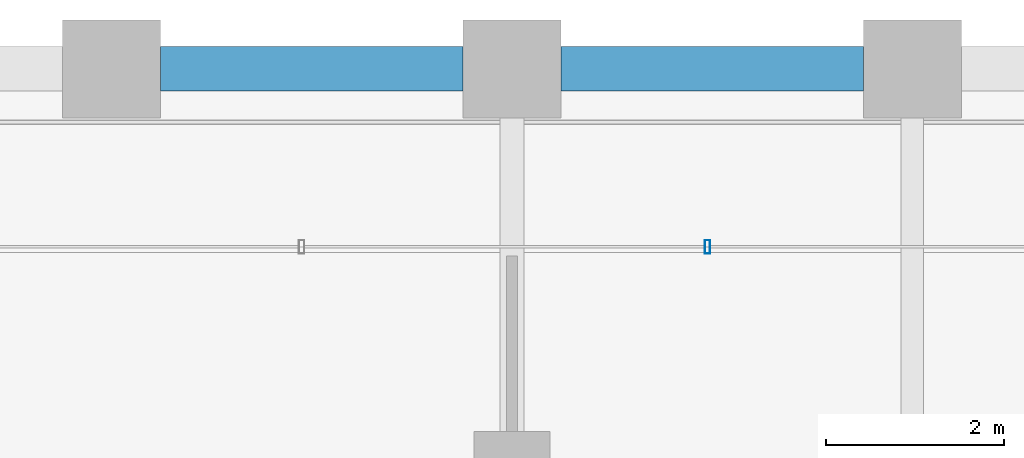
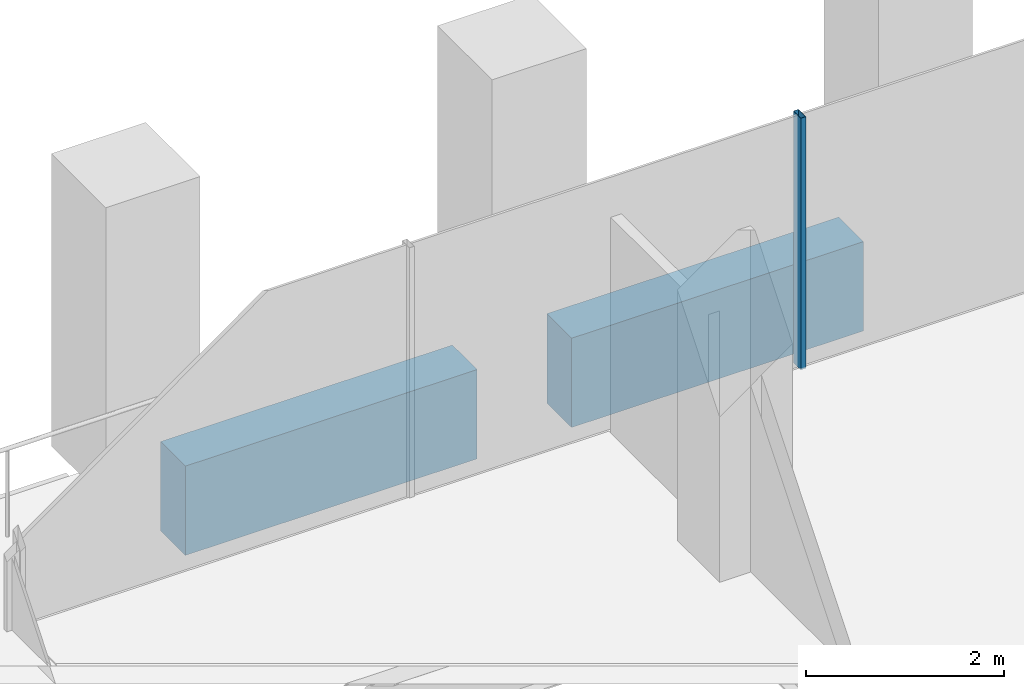
# One storey, part 27 of 56: 2 beams, 1 member, 1 element without a shape of its own.
"""IFC4 building model written with IfcOpenShell, lengths in metres."""

from ifc_helpers import new_model, si_unit, direction, frame, origin, origin_2d, place, context, subcontext, project, spatial, rectangle, hollow_rectangle, extrude, material, material_profile, profile_set, type_object, element, aggregate, save


model = new_model("IFC4")

# Units and contexts
model_context = context("Model", 3, precision=1e-05, world=origin(), true_north=direction((0.0, 1.0)))
body_context = subcontext(model_context, "Body", "Model", "MODEL_VIEW")
ifc_project = project(units=[si_unit("LENGTHUNIT", "METRE"), si_unit("AREAUNIT", "SQUARE_METRE"), si_unit("VOLUMEUNIT", "CUBIC_METRE"), si_unit("PLANEANGLEUNIT", "RADIAN"), si_unit("MASSUNIT", "GRAM", prefix="KILO")], contexts=[model_context])

# Site, building, storey
site_placement = place(None, origin())
site = spatial("IfcSite", under=ifc_project, at=site_placement, CompositionType="ELEMENT")
building_placement = place(site_placement, origin())
building = spatial("IfcBuilding", under=site, at=building_placement, Name="Altepetl Exchange Towers", CompositionType="ELEMENT")
storey_placement = place(building_placement, frame((0.0, 0.0, 79.800048828125)))
storey = spatial("IfcBuildingStorey", under=building, at=storey_placement, Name="L19", CompositionType="ELEMENT", Elevation=79.800048828125)

# Curtain wall, member
ifc_material_1 = material(Name="Aluminium 6063-T6 glazing", Category="aluminium")
curtain_wall_type = type_object("IfcCurtainWallType", Name="Loggia glazing system", PredefinedType="NOTDEFINED", material=ifc_material_1)
curtain_wall_placement = place(storey_placement, origin())
curtain_wall = element("IfcCurtainWall", 1, at=curtain_wall_placement, inside=storey, type_object=curtain_wall_type, Name="CW1 run", PredefinedType="NOTDEFINED")
ifc_material_2 = material(Name="Aluminium 6063-T6", Category="aluminium")
ifc_material_profile_1 = material_profile(ifc_material_2, hollow_rectangle(XDim=0.06005859375, YDim=0.14990234375, WallThickness=0.0029296875, at=origin_2d()), Name="Mullion 60x150 aluminium")
ifc_profile_set_1 = profile_set([ifc_material_profile_1], Name="Aluminium 6063-T6")
member_type = type_object("IfcMemberType", Name="Mullion 60x150 aluminium", PredefinedType="MULLION", material=ifc_profile_set_1)
member_placement = place(storey_placement, frame((42.696533203125, 70.0, 0.0), z_axis=(0.0, 0.0, 1.0), x_axis=(-1.0, 0.0, 0.0)))
member = element("IfcMember", 2, at=member_placement, type_object=member_type, Name="MU1 mullion", PredefinedType="MULLION", context=body_context, shape_type="SweptSolid", body=[
    extrude(hollow_rectangle(XDim=0.06005859375, YDim=0.14990234375, WallThickness=0.0029296875, at=origin_2d()), origin(), (0.0, 0.0, 1.0), 3.099853515625),
])
aggregate(curtain_wall, [member])

# Beams
ifc_material_3 = material(Name="Concrete C50/60 precast with cantera rosa facing", Category="concrete")
ifc_material_profile_2 = material_profile(ifc_material_3, rectangle(XDim=0.5, YDim=1.10009765625, at=origin_2d()), Name="500 x 1100")
ifc_profile_set_2 = profile_set([ifc_material_profile_2], Name="Concrete C50/60 precast with cantera rosa facing")
beam_type_1 = type_object("IfcBeamType", Name="Spandrel beam 500x1100 cantera rosa", PredefinedType="SPANDREL", material=ifc_profile_set_2)
beam_1_placement = place(storey_placement, frame((44.449951171875, 72.0, -0.699951171875), z_axis=(-1.0, 0.0, 0.0), x_axis=(0.0, -1.0, 0.0)))
element("IfcBeam", 3, at=beam_1_placement, inside=storey, type_object=beam_type_1, Name="sp:A:L19:029", PredefinedType="SPANDREL", context=body_context, shape_type="SweptSolid", body=[
    extrude(rectangle(XDim=0.5, YDim=1.10009765625, at=origin_2d()), origin(), (0.0, 0.0, 1.0), 3.39990234375),
])
ifc_material_4 = material(Name="Concrete C50/60 precast with tezontle facing", Category="concrete")
ifc_material_profile_3 = material_profile(ifc_material_4, rectangle(XDim=0.5, YDim=1.10009765625, at=origin_2d()), Name="500 x 1100")
ifc_profile_set_3 = profile_set([ifc_material_profile_3], Name="Concrete C50/60 precast with tezontle facing")
beam_type_2 = type_object("IfcBeamType", Name="Spandrel beam 500x1100 tezontle", PredefinedType="SPANDREL", material=ifc_profile_set_3)
beam_2_placement = place(storey_placement, frame((39.949951171875, 72.0, -0.699951171875), z_axis=(-1.0, 0.0, 0.0), x_axis=(0.0, -1.0, 0.0)))
element("IfcBeam", 4, at=beam_2_placement, inside=storey, type_object=beam_type_2, Name="sp:A:L19:030", PredefinedType="SPANDREL", context=body_context, shape_type="SweptSolid", body=[
    extrude(rectangle(XDim=0.5, YDim=1.10009765625, at=origin_2d()), origin(), (0.0, 0.0, 1.0), 3.39990234375),
])

save(model, "model.ifc")
